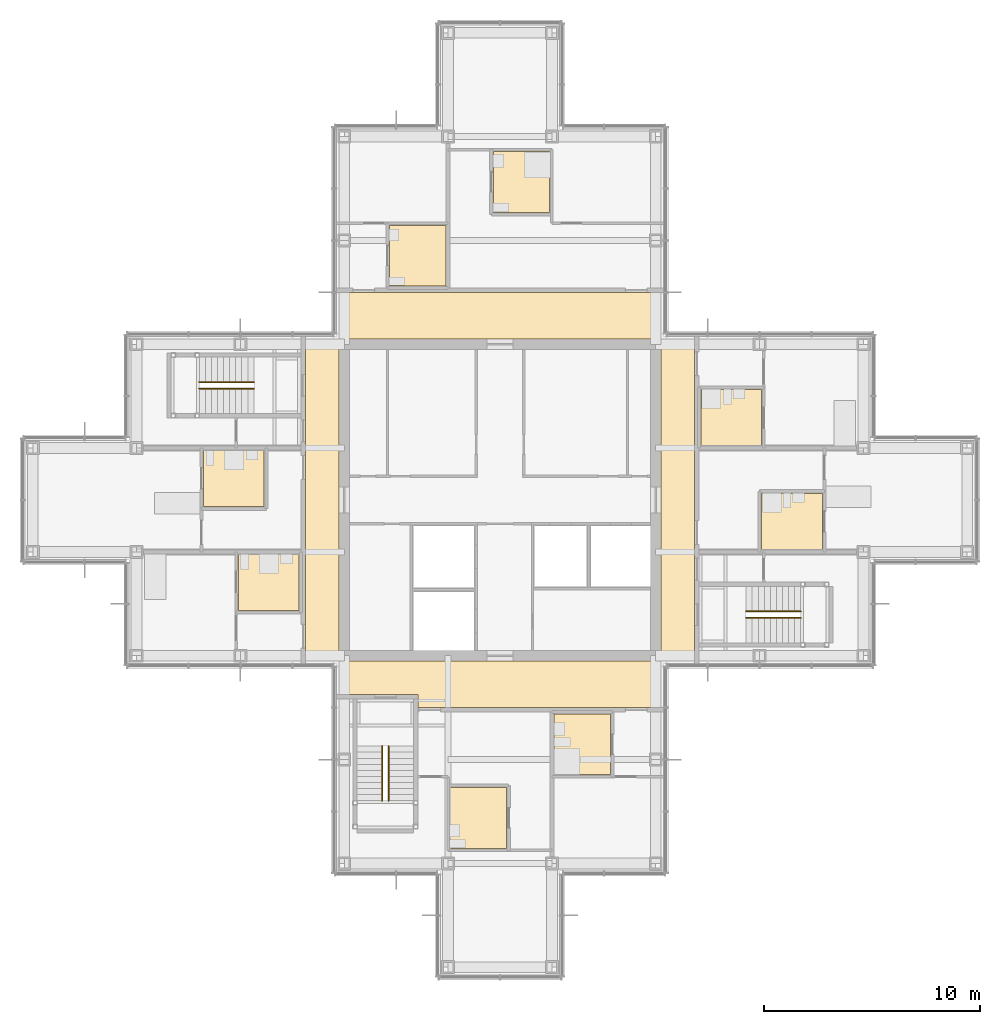
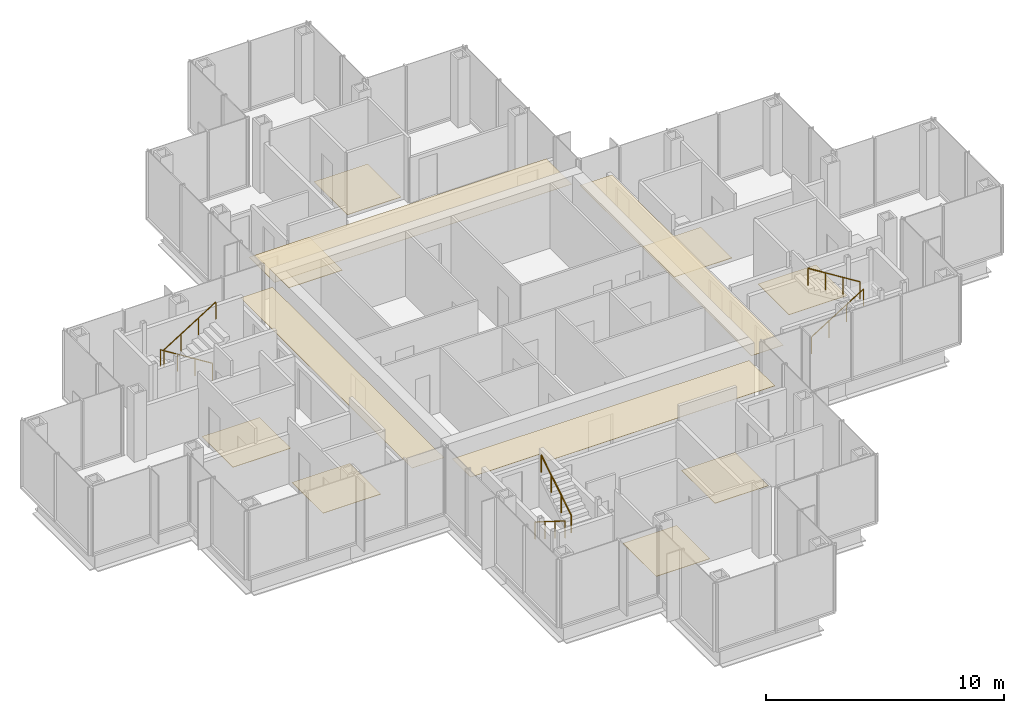
# One storey, part 15 of 17: 12 coverings, 6 railings.
"""IFC4 building model written with IfcOpenShell, lengths in metres."""

import ifcopenshell
import ifcopenshell.guid

model = None  # the IFC model being written
_history = None  # IfcOwnerHistory: only IFC2X3 demands one
_inside = {}  # id of a spatial element -> (the spatial element, [elements in it])
_under = {}  # id of a project, library or spatial element -> (it, [spatial elements below it])
_declared = {}  # id of a project -> (the project, [libraries it declares])
_typed = {}  # id of a type object -> (the type object, [elements of that type])
_made_of = {}  # id of a material, layer set ... -> (it, [elements and type objects made of it])


def new_model(schema):
    """Start an empty IFC model of exactly this schema.

    Asked for "IFC4X3", IfcOpenShell would pick the latest addendum, in which some entities
    have other attributes; the version numbers below select the first issue.
    IFC2X3 requires an IfcOwnerHistory on every rooted entity: one is made here for all.
    """
    global model, _history
    if schema == "IFC4X3":
        model = ifcopenshell.file(schema_version=(4, 3, 0, 0))
    else:
        model = ifcopenshell.file(schema=schema)
    _inside.clear()
    _under.clear()
    _declared.clear()
    _typed.clear()
    _made_of.clear()
    _history = None
    if model.schema == "IFC2X3":
        org = make("IfcOrganization", Name="unknown")
        user = make(
            "IfcPersonAndOrganization",
            ThePerson=make("IfcPerson", FamilyName="unknown"),
            TheOrganization=org,
        )
        app = make(
            "IfcApplication",
            ApplicationDeveloper=org,
            Version="unknown",
            ApplicationFullName="unknown",
            ApplicationIdentifier="unknown",
        )
        _history = make(
            "IfcOwnerHistory",
            OwningUser=user,
            OwningApplication=app,
            ChangeAction="ADDED",
            CreationDate=0,
        )
    return model


def make(cls, **values):
    """One entity of the class cls with the attributes given. An attribute that is None is left unset."""
    return model.create_entity(
        cls, **{name: value for name, value in values.items() if value is not None}
    )


def rooted(cls, **values):
    """An entity with a GlobalId (a new one), such as an element, a storey or a relation."""
    return make(cls, GlobalId=ifcopenshell.guid.new(), OwnerHistory=_history, **values)


def si_unit(unit_type, name, prefix=None):
    """IfcSIUnit, for example si_unit("LENGTHUNIT", "METRE", prefix="MILLI")."""
    return make("IfcSIUnit", UnitType=unit_type, Prefix=prefix, Name=name)


def assignment(units):
    """IfcUnitAssignment: the units of a project."""
    return None if units is None else make("IfcUnitAssignment", Units=units)


def point(xyz):
    """IfcCartesianPoint."""
    return None if xyz is None else make("IfcCartesianPoint", Coordinates=xyz)


def direction(xyz):
    """IfcDirection."""
    return None if xyz is None else make("IfcDirection", DirectionRatios=xyz)


def frame(location, z_axis=None, x_axis=None):
    """IfcAxis2Placement3D, a coordinate frame: its origin and axes. An axis left out is left unset."""
    return make(
        "IfcAxis2Placement3D",
        Location=point(location),
        Axis=direction(z_axis),
        RefDirection=direction(x_axis),
    )


def frame_2d(location, x_axis=None):
    """IfcAxis2Placement2D, a coordinate frame in the plane: its origin and x axis."""
    return make(
        "IfcAxis2Placement2D", Location=point(location), RefDirection=direction(x_axis)
    )


def origin():
    """The frame at (0, 0, 0) with its axes left unset."""
    return frame((0.0, 0.0, 0.0))


def origin_2d():
    """The frame at (0, 0) in the plane with its x axis left unset."""
    return frame_2d((0.0, 0.0))


def place(relative_to, where):
    """IfcLocalPlacement: puts the frame where relative to a parent placement (None: the world)."""
    return make(
        "IfcLocalPlacement", PlacementRelTo=relative_to, RelativePlacement=where
    )


def context(
    kind, dimensions, precision=None, world=None, true_north=None, identifier=None
):
    """IfcGeometricRepresentationContext, for example the 3D "Model" context."""
    return make(
        "IfcGeometricRepresentationContext",
        ContextIdentifier=identifier,
        ContextType=kind,
        CoordinateSpaceDimension=dimensions,
        Precision=precision,
        WorldCoordinateSystem=world,
        TrueNorth=true_north,
    )


def subcontext(parent, identifier, kind, view, scale=None):
    """IfcGeometricRepresentationSubContext, for example "Body" below "Model"."""
    return make(
        "IfcGeometricRepresentationSubContext",
        ContextIdentifier=identifier,
        ContextType=kind,
        ParentContext=parent,
        TargetScale=scale,
        TargetView=view,
    )


def project(units=None, contexts=None):
    """IfcProject with its units and contexts."""
    return rooted(
        "IfcProject",
        Name="project",
        RepresentationContexts=contexts,
        UnitsInContext=assignment(units),
    )


def spatial(cls, under=None, at=None, **own):
    """A site, building, storey or space (cls), placed at a placement, below another one or the project."""
    s = rooted(cls, ObjectPlacement=at, **own)
    if under is not None:
        _under.setdefault(under.id(), (under, []))[1].append(s)
    return s


def polyline(points):
    """IfcPolyline through the points."""
    return make("IfcPolyline", Points=[point(p) for p in points])


def profile(cls, at=None, kind="AREA", **sizes):
    """A parametric profile (cls). Its sizes go by their IFC names, for example OverallWidth=200.0."""
    return make(cls, ProfileType=kind, Position=at, **sizes)


def circle(**sizes):
    """IfcCircleProfileDef."""
    return profile("IfcCircleProfileDef", **sizes)


def outline(outer, holes=None, kind="AREA"):
    """IfcArbitraryClosedProfileDef: a profile drawn as a closed curve; with holes, ...WithVoids."""
    if holes is None:
        return make("IfcArbitraryClosedProfileDef", ProfileType=kind, OuterCurve=outer)
    return make(
        "IfcArbitraryProfileDefWithVoids",
        ProfileType=kind,
        OuterCurve=outer,
        InnerCurves=holes,
    )


def extrude(swept, where, along, depth):
    """IfcExtrudedAreaSolid: the profile swept, set in the frame where, extruded along a direction by depth."""
    return make(
        "IfcExtrudedAreaSolid",
        SweptArea=swept,
        Position=where,
        ExtrudedDirection=direction(along),
        Depth=depth,
    )


def shape(context_of_items, identifier, shape_type, items):
    """IfcShapeRepresentation: the items that make up one representation, for example the "Body"."""
    return make(
        "IfcShapeRepresentation",
        ContextOfItems=context_of_items,
        RepresentationIdentifier=identifier,
        RepresentationType=shape_type,
        Items=items,
    )


def material(Name=None, Category=None):
    """IfcMaterial."""
    return make("IfcMaterial", Name=Name, Category=Category)


def layer(
    of_material, thickness, ventilated=None, Name=None, Category=None, Priority=None
):
    """IfcMaterialLayer: one layer of a wall or slab, of a material (None: an air gap)."""
    return make(
        "IfcMaterialLayer",
        Material=of_material,
        LayerThickness=thickness,
        IsVentilated=ventilated,
        Name=Name,
        Category=Category,
        Priority=Priority,
    )


def layer_set(layers, Name=None):
    """IfcMaterialLayerSet."""
    return make("IfcMaterialLayerSet", MaterialLayers=layers, LayerSetName=Name)


def made_of(thing, what):
    """Note that an element or type object is made of a material, layer set ...; save() writes the relation."""
    if what is not None:
        _made_of.setdefault(what.id(), (what, []))[1].append(thing)
    return thing


def type_object(cls, material=None, **own):
    """A type object (cls), such as IfcWallType, which elements share."""
    return made_of(rooted(cls, **own), material)


def element(
    cls,
    number,
    at=None,
    inside=None,
    cuts=None,
    type_object=None,
    material=None,
    context=None,
    identifier="Body",
    shape_type=None,
    held_by="IfcProductDefinitionShape",
    body=None,
    shapes=None,
    **own,
):
    """One element of the class cls, such as IfcWall. Its Tag is "e" and its number.

    at: its placement. inside: the storey or other place that contains it. cuts: it is an
    opening in that element (IfcRelVoidsElement). A single representation is given by context,
    identifier, shape_type and body (its items); several are given by shapes. held_by: the class
    of the entity that holds the representations. save() writes the other relations.
    """
    e = rooted(cls, Tag="e%d" % number, ObjectPlacement=at, **own)
    if body is not None:
        shapes = [shape(context, identifier, shape_type, body)]
    if shapes is not None:
        e.Representation = make(held_by, Representations=shapes)
    if inside is not None:
        _inside.setdefault(inside.id(), (inside, []))[1].append(e)
    if cuts is not None:
        rooted(
            "IfcRelVoidsElement", RelatingBuildingElement=cuts, RelatedOpeningElement=e
        )
    if type_object is not None:
        _typed.setdefault(type_object.id(), (type_object, []))[1].append(e)
    return made_of(e, material)


def aggregate(whole, parts):
    """IfcRelAggregates: a whole, such as a stair, and the parts it consists of."""
    return rooted("IfcRelAggregates", RelatingObject=whole, RelatedObjects=parts)


def save(model, path):
    """Write the relations noted so far, then the file.

    IfcRelAggregates (storeys below a building ...), IfcRelContainedInSpatialStructure (elements
    in a storey), IfcRelDefinesByType, IfcRelAssociatesMaterial and IfcRelDeclares: one each for
    every whole, place, type object, material and project.
    """
    for whole, parts in _under.values():
        aggregate(whole, parts)
    for where, things in _inside.values():
        rooted(
            "IfcRelContainedInSpatialStructure",
            RelatedElements=things,
            RelatingStructure=where,
        )
    for kind, things in _typed.values():
        rooted("IfcRelDefinesByType", RelatedObjects=things, RelatingType=kind)
    for what, things in _made_of.values():
        rooted("IfcRelAssociatesMaterial", RelatedObjects=things, RelatingMaterial=what)
    for by, libraries in _declared.values():
        rooted("IfcRelDeclares", RelatingContext=by, RelatedDefinitions=libraries)
    model.write(path)


model = new_model("IFC4")

# Units and contexts
model_context = context("Model", 3, precision=1e-05, world=origin(), true_north=direction((0.0, 1.0)))
body_context = subcontext(model_context, "Body", "Model", "MODEL_VIEW")
ifc_project = project(units=[si_unit("LENGTHUNIT", "METRE"), si_unit("AREAUNIT", "SQUARE_METRE"), si_unit("VOLUMEUNIT", "CUBIC_METRE"), si_unit("PLANEANGLEUNIT", "RADIAN"), si_unit("MASSUNIT", "GRAM", prefix="KILO")], contexts=[model_context])

# Site, building, storey
site_placement = place(None, origin())
site = spatial("IfcSite", under=ifc_project, at=site_placement, CompositionType="ELEMENT")
building_placement = place(site_placement, origin())
building = spatial("IfcBuilding", under=site, at=building_placement, Name="Kvirike Care Tower", CompositionType="ELEMENT")
storey_placement = place(building_placement, frame((0.0, 0.0, 172.5)))
storey = spatial("IfcBuildingStorey", under=building, at=storey_placement, Name="L47", CompositionType="ELEMENT", Elevation=172.5)

# Coverings
ifc_material_1 = material(Name="Perforated metal ceiling tile", Category="aluminium")
ifc_layer_1 = layer(ifc_material_1, 0.014892578125)
ifc_layer_set_1 = layer_set([ifc_layer_1], Name="CORRIDOR CEILING 15")
covering_type_1 = type_object("IfcCoveringType", Name="CORRIDOR CEILING 15", PredefinedType="CEILING", material=ifc_layer_set_1)
covering_1_placement = place(storey_placement, frame((0.0, 0.0, 2.5)))
element("IfcCovering", 1, at=covering_1_placement, inside=storey, type_object=covering_type_1, Name="Corridor ceiling L47", PredefinedType="CEILING", context=body_context, shape_type="SweptSolid", body=[
    extrude(outline(polyline([(12.60009765625, 43.199951171875), (14.14990234375, 43.199951171875), (14.14990234375, 28.800048828125), (12.60009765625, 28.800048828125), (12.60009765625, 43.199951171875)])), origin(), (0.0, 0.0, 1.0), 0.014892578125),
])
covering_2_placement = place(storey_placement, frame((0.0, 0.0, 2.5)))
element("IfcCovering", 2, at=covering_2_placement, inside=storey, type_object=covering_type_1, Name="Corridor ceiling L47", PredefinedType="CEILING", context=body_context, shape_type="SweptSolid", body=[
    extrude(outline(polyline([(14.39990234375, 28.550048828125), (28.800048828125, 28.550048828125), (28.800048828125, 26.39990234375), (17.800048828125, 26.39990234375), (17.800048828125, 27.0), (14.39990234375, 27.0), (14.39990234375, 28.550048828125)])), origin(), (0.0, 0.0, 1.0), 0.014892578125),
])
covering_3_placement = place(storey_placement, frame((0.0, 0.0, 2.5)))
element("IfcCovering", 3, at=covering_3_placement, inside=storey, type_object=covering_type_1, Name="Corridor ceiling L47", PredefinedType="CEILING", context=body_context, shape_type="SweptSolid", body=[
    extrude(outline(polyline([(28.800048828125, 45.60009765625), (28.800048828125, 43.449951171875), (14.39990234375, 43.449951171875), (14.39990234375, 45.60009765625), (28.800048828125, 45.60009765625)])), origin(), (0.0, 0.0, 1.0), 0.014892578125),
])
covering_4_placement = place(storey_placement, frame((0.0, 0.0, 2.5)))
element("IfcCovering", 4, at=covering_4_placement, inside=storey, type_object=covering_type_1, Name="Corridor ceiling L47", PredefinedType="CEILING", context=body_context, shape_type="SweptSolid", body=[
    extrude(outline(polyline([(30.60009765625, 28.800048828125), (29.050048828125, 28.800048828125), (29.050048828125, 43.199951171875), (30.60009765625, 43.199951171875), (30.60009765625, 28.800048828125)])), origin(), (0.0, 0.0, 1.0), 0.014892578125),
])

# Railings
ifc_material_2 = material(Name="Stainless steel handrail", Category="steel")
railing_type = type_object("IfcRailingType", Name="STAIR HANDRAIL 900", PredefinedType="HANDRAIL", material=ifc_material_2)
railing_1_placement = place(storey_placement, frame((10.219970703125, 41.449951171875, 0.175048828125)))
element("IfcRailing", 5, at=railing_1_placement, inside=storey, type_object=railing_type, Name="Stair 1 handrail L47 flight 1", PredefinedType="HANDRAIL", context=body_context, shape_type="SweptSolid", body=[
    extrude(circle(Radius=0.02490234375, at=origin_2d()), frame((0.0, 0.0, 0.875), z_axis=(-0.848007534815, 0.0, 0.529984170421), x_axis=(0.0, -1.0, 0.0)), (0.0, 0.0, 1.0), 2.9716796875),
    extrude(circle(Radius=0.02001953125, at=origin_2d()), origin(), (0.0, 0.0, 1.0), 0.849853515625),
    extrude(circle(Radius=0.02001953125, at=origin_2d()), frame((-0.840087890625, 0.0, 0.52490234375)), (0.0, 0.0, 1.0), 0.849853515625),
    extrude(circle(Radius=0.02001953125, at=origin_2d()), frame((-1.679931640625, 0.0, 1.050048828125)), (0.0, 0.0, 1.0), 0.849853515625),
    extrude(circle(Radius=0.02001953125, at=origin_2d()), frame((-2.52001953125, 0.0, 1.574951171875)), (0.0, 0.0, 1.0), 0.849853515625),
])
for number, where, name in (
    (6, (7.699951171875, 41.14990234375, 1.925048828125), "Stair 1 handrail L47 flight 2"),
    (7, (32.97998046875, 30.550048828125, 0.175048828125), "Stair 2 handrail L47 flight 1"),
):
    element("IfcRailing", number, at=place(storey_placement, frame(where)), inside=storey, type_object=railing_type, Name=name, PredefinedType="HANDRAIL", context=body_context, shape_type="SweptSolid", body=[
        extrude(circle(Radius=0.02490234375, at=origin_2d()), frame((0.0, 0.0, 0.875), z_axis=(0.848007534815, 0.0, 0.529984170421), x_axis=(0.0, 1.0, 0.0)), (0.0, 0.0, 1.0), 2.9716796875),
        extrude(circle(Radius=0.02001953125, at=origin_2d()), origin(), (0.0, 0.0, 1.0), 0.849853515625),
        extrude(circle(Radius=0.02001953125, at=origin_2d()), frame((0.840087890625, 0.0, 0.52490234375)), (0.0, 0.0, 1.0), 0.849853515625),
        extrude(circle(Radius=0.02001953125, at=origin_2d()), frame((1.679931640625, 0.0, 1.050048828125)), (0.0, 0.0, 1.0), 0.849853515625),
        extrude(circle(Radius=0.02001953125, at=origin_2d()), frame((2.52001953125, 0.0, 1.574951171875)), (0.0, 0.0, 1.0), 0.849853515625),
    ])
railing_2_placement = place(storey_placement, frame((35.5, 30.85009765625, 1.925048828125)))
element("IfcRailing", 8, at=railing_2_placement, inside=storey, type_object=railing_type, Name="Stair 2 handrail L47 flight 2", PredefinedType="HANDRAIL", context=body_context, shape_type="SweptSolid", body=[
    extrude(circle(Radius=0.02490234375, at=origin_2d()), frame((0.0, 0.0, 0.875), z_axis=(-0.848007534815, 0.0, 0.529984170421), x_axis=(0.0, -1.0, 0.0)), (0.0, 0.0, 1.0), 2.9716796875),
    extrude(circle(Radius=0.02001953125, at=origin_2d()), origin(), (0.0, 0.0, 1.0), 0.849853515625),
    extrude(circle(Radius=0.02001953125, at=origin_2d()), frame((-0.840087890625, 0.0, 0.52490234375)), (0.0, 0.0, 1.0), 0.849853515625),
    extrude(circle(Radius=0.02001953125, at=origin_2d()), frame((-1.679931640625, 0.0, 1.050048828125)), (0.0, 0.0, 1.0), 0.849853515625),
    extrude(circle(Radius=0.02001953125, at=origin_2d()), frame((-2.52001953125, 0.0, 1.574951171875)), (0.0, 0.0, 1.0), 0.849853515625),
])
railing_3_placement = place(storey_placement, frame((16.14990234375, 24.6201171875, 0.175048828125)))
element("IfcRailing", 9, at=railing_3_placement, inside=storey, type_object=railing_type, Name="Stair 5 handrail L47 flight 1", PredefinedType="HANDRAIL", context=body_context, shape_type="SweptSolid", body=[
    extrude(circle(Radius=0.02490234375, at=origin_2d()), frame((0.0, 0.0, 0.875), z_axis=(0.0, -0.848007534815, 0.529984170421), x_axis=(1.0, 0.0, 0.0)), (0.0, 0.0, 1.0), 2.9716796875),
    extrude(circle(Radius=0.02001953125, at=origin_2d()), origin(), (0.0, 0.0, 1.0), 0.849853515625),
    extrude(circle(Radius=0.02001953125, at=origin_2d()), frame((0.0, -0.840087890625, 0.52490234375)), (0.0, 0.0, 1.0), 0.849853515625),
    extrude(circle(Radius=0.02001953125, at=origin_2d()), frame((0.0, -1.679931640625, 1.050048828125)), (0.0, 0.0, 1.0), 0.849853515625),
    extrude(circle(Radius=0.02001953125, at=origin_2d()), frame((0.0, -2.52001953125, 1.574951171875)), (0.0, 0.0, 1.0), 0.849853515625),
])
railing_4_placement = place(storey_placement, frame((16.449951171875, 22.10009765625, 1.925048828125)))
element("IfcRailing", 10, at=railing_4_placement, inside=storey, type_object=railing_type, Name="Stair 5 handrail L47 flight 2", PredefinedType="HANDRAIL", context=body_context, shape_type="SweptSolid", body=[
    extrude(circle(Radius=0.02490234375, at=origin_2d()), frame((0.0, 0.0, 0.875), z_axis=(0.0, 0.848007534815, 0.529984170421), x_axis=(-1.0, 0.0, 0.0)), (0.0, 0.0, 1.0), 2.9716796875),
    extrude(circle(Radius=0.02001953125, at=origin_2d()), origin(), (0.0, 0.0, 1.0), 0.849853515625),
    extrude(circle(Radius=0.02001953125, at=origin_2d()), frame((0.0, 0.840087890625, 0.52490234375)), (0.0, 0.0, 1.0), 0.849853515625),
    extrude(circle(Radius=0.02001953125, at=origin_2d()), frame((0.0, 1.679931640625, 1.050048828125)), (0.0, 0.0, 1.0), 0.849853515625),
    extrude(circle(Radius=0.02001953125, at=origin_2d()), frame((0.0, 2.52001953125, 1.574951171875)), (0.0, 0.0, 1.0), 0.849853515625),
])

# Coverings
ifc_material_3 = material(Name="Slip-resistant vinyl safety flooring on screed")
ifc_layer_2 = layer(ifc_material_3, 0.02001953125)
ifc_layer_set_2 = layer_set([ifc_layer_2], Name="WET ROOM FLOOR 20")
covering_type_2 = type_object("IfcCoveringType", Name="WET ROOM FLOOR 20", PredefinedType="FLOORING", material=ifc_layer_set_2)
covering_5_placement = place(storey_placement, origin())
element("IfcCovering", 11, at=covering_5_placement, inside=storey, type_object=covering_type_2, Name="En-suite floor L47-006", PredefinedType="FLOORING", context=body_context, shape_type="SweptSolid", body=[
    extrude(outline(polyline([(7.89990234375, 38.300048828125), (10.699951171875, 38.300048828125), (10.699951171875, 35.699951171875), (7.89990234375, 35.699951171875), (7.89990234375, 38.300048828125)])), origin(), (0.0, 0.0, 1.0), 0.02001953125),
])
covering_6_placement = place(storey_placement, origin())
element("IfcCovering", 12, at=covering_6_placement, inside=storey, type_object=covering_type_2, Name="En-suite floor L47-009", PredefinedType="FLOORING", context=body_context, shape_type="SweptSolid", body=[
    extrude(outline(polyline([(9.5, 33.5), (12.300048828125, 33.5), (12.300048828125, 30.89990234375), (9.5, 30.89990234375), (9.5, 33.5)])), origin(), (0.0, 0.0, 1.0), 0.02001953125),
])
covering_7_placement = place(storey_placement, origin())
element("IfcCovering", 13, at=covering_7_placement, inside=storey, type_object=covering_type_2, Name="Accessible WC floor L47-014", PredefinedType="FLOORING", context=body_context, shape_type="SweptSolid", body=[
    extrude(outline(polyline([(19.300048828125, 19.89990234375), (19.300048828125, 22.699951171875), (21.89990234375, 22.699951171875), (21.89990234375, 19.89990234375), (19.300048828125, 19.89990234375)])), origin(), (0.0, 0.0, 1.0), 0.02001953125),
])
covering_8_placement = place(storey_placement, origin())
element("IfcCovering", 14, at=covering_8_placement, inside=storey, type_object=covering_type_2, Name="Assisted bathroom floor L47-017", PredefinedType="FLOORING", context=body_context, shape_type="SweptSolid", body=[
    extrude(outline(polyline([(24.10009765625, 23.300048828125), (24.10009765625, 26.10009765625), (26.699951171875, 26.10009765625), (26.699951171875, 23.300048828125), (24.10009765625, 23.300048828125)])), origin(), (0.0, 0.0, 1.0), 0.02001953125),
])
covering_9_placement = place(storey_placement, origin())
element("IfcCovering", 15, at=covering_9_placement, inside=storey, type_object=covering_type_2, Name="Assisted bathroom floor L47-021", PredefinedType="FLOORING", context=body_context, shape_type="SweptSolid", body=[
    extrude(outline(polyline([(23.89990234375, 52.10009765625), (23.89990234375, 49.300048828125), (21.300048828125, 49.300048828125), (21.300048828125, 52.10009765625), (23.89990234375, 52.10009765625)])), origin(), (0.0, 0.0, 1.0), 0.02001953125),
])
covering_10_placement = place(storey_placement, origin())
element("IfcCovering", 16, at=covering_10_placement, inside=storey, type_object=covering_type_2, Name="Staff WC floor L47-024", PredefinedType="FLOORING", context=body_context, shape_type="SweptSolid", body=[
    extrude(outline(polyline([(19.10009765625, 48.699951171875), (19.10009765625, 45.89990234375), (16.5, 45.89990234375), (16.5, 48.699951171875), (19.10009765625, 48.699951171875)])), origin(), (0.0, 0.0, 1.0), 0.02001953125),
])
covering_11_placement = place(storey_placement, origin())
element("IfcCovering", 17, at=covering_11_placement, inside=storey, type_object=covering_type_2, Name="En-suite floor L47-031", PredefinedType="FLOORING", context=body_context, shape_type="SweptSolid", body=[
    extrude(outline(polyline([(36.5, 33.699951171875), (33.699951171875, 33.699951171875), (33.699951171875, 36.300048828125), (36.5, 36.300048828125), (36.5, 33.699951171875)])), origin(), (0.0, 0.0, 1.0), 0.02001953125),
])
covering_12_placement = place(storey_placement, origin())
element("IfcCovering", 18, at=covering_12_placement, inside=storey, type_object=covering_type_2, Name="En-suite floor L47-034", PredefinedType="FLOORING", context=body_context, shape_type="SweptSolid", body=[
    extrude(outline(polyline([(33.699951171875, 38.5), (30.89990234375, 38.5), (30.89990234375, 41.10009765625), (33.699951171875, 41.10009765625), (33.699951171875, 38.5)])), origin(), (0.0, 0.0, 1.0), 0.02001953125),
])

save(model, "model.ifc")
